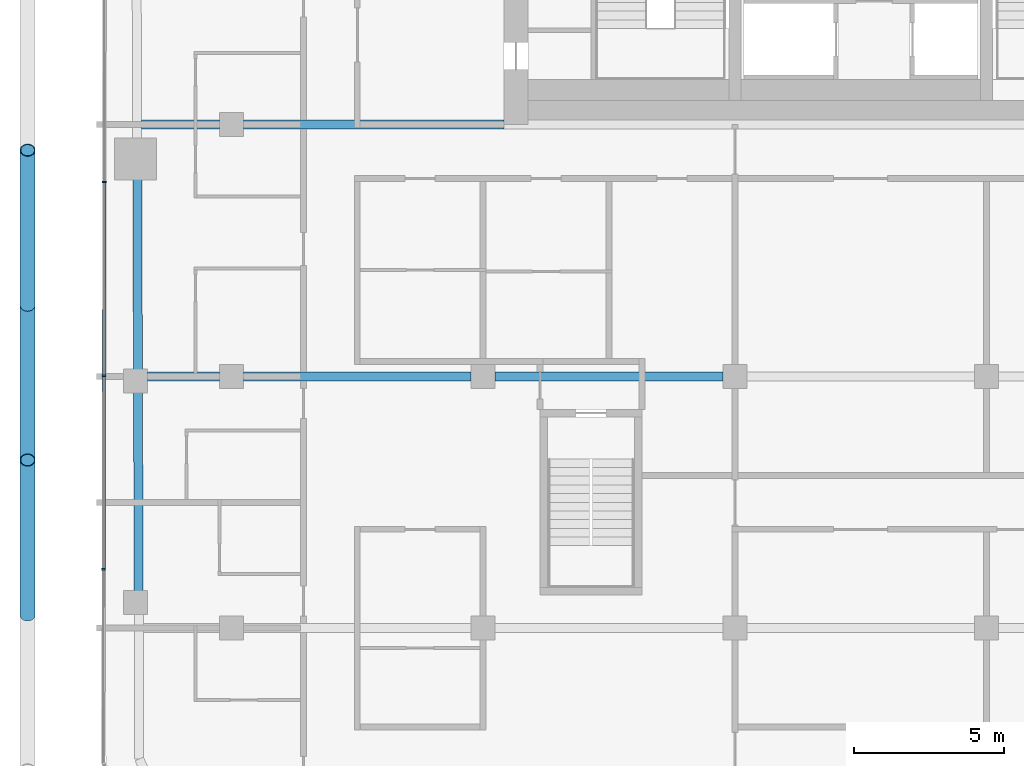
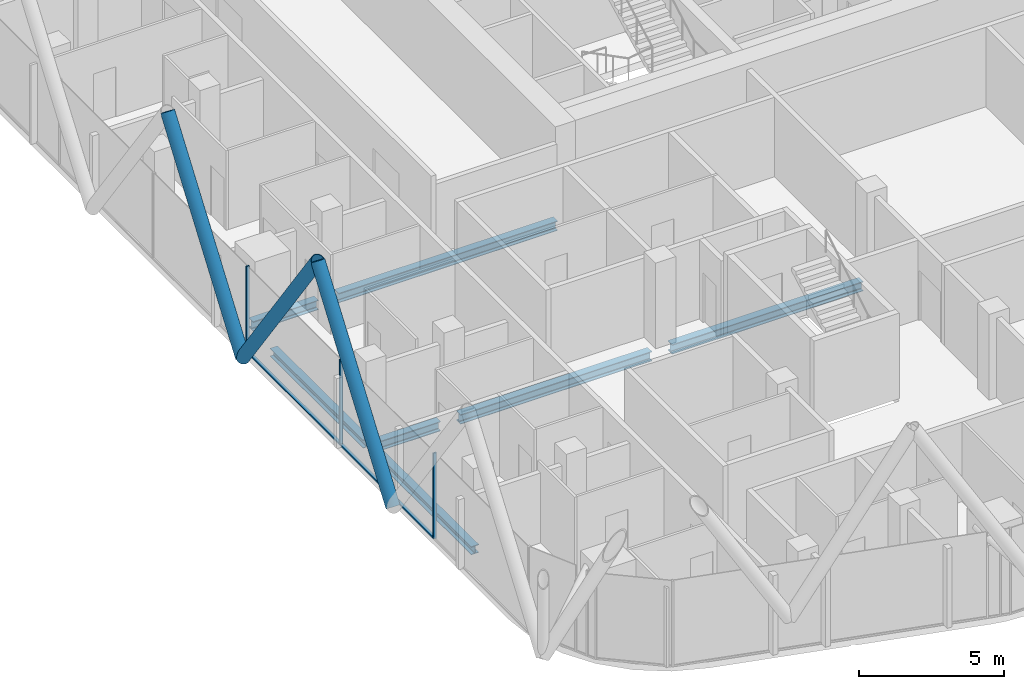
# One storey, part 4 of 28: 8 members, 7 beams, 1 element without a shape of its own.
"""IFC4 building model written with IfcOpenShell, lengths in metres."""

from ifc_helpers import new_model, si_unit, direction, frame, origin, origin_2d, place, context, subcontext, project, spatial, rectangle, hollow_circle, i_section, extrude, material, layer, layer_set, material_profile, profile_set, type_object, element, aggregate, save


model = new_model("IFC4")

# Units and contexts
model_context = context("Model", 3, precision=1e-05, world=origin(), true_north=direction((0.0, 1.0)))
body_context = subcontext(model_context, "Body", "Model", "MODEL_VIEW")
ifc_project = project(units=[si_unit("LENGTHUNIT", "METRE"), si_unit("AREAUNIT", "SQUARE_METRE"), si_unit("VOLUMEUNIT", "CUBIC_METRE"), si_unit("PLANEANGLEUNIT", "RADIAN"), si_unit("MASSUNIT", "GRAM", prefix="KILO")], contexts=[model_context])

# Site, building, storey
site_placement = place(None, origin())
site = spatial("IfcSite", under=ifc_project, at=site_placement, CompositionType="ELEMENT")
building_placement = place(site_placement, origin())
building = spatial("IfcBuilding", under=site, at=building_placement, Name="Marenta Gate Hotel Tower", CompositionType="ELEMENT")
storey_placement = place(building_placement, frame((0.0, 0.0, 198.5)))
storey = spatial("IfcBuildingStorey", under=building, at=storey_placement, Name="L45", CompositionType="ELEMENT", Elevation=198.5)

# Members
ifc_material_1 = material(Name="Steel S355J2W", Category="steel")
ifc_material_profile_1 = material_profile(ifc_material_1, hollow_circle(Radius=0.25390625, WallThickness=0.02490234375, at=origin_2d()), Name="CHS 508x25")
ifc_profile_set_1 = profile_set([ifc_material_profile_1], Name="Steel S355J2W")
member_type_1 = type_object("IfcMemberType", Name="Diagrid diagonal Z3 CHS 508x25", PredefinedType="BRACE", material=ifc_profile_set_1)
member_1_placement = place(storey_placement, frame((-27.800048828125, -16.360107421875, 3.139892578125), z_axis=(0.0, 0.583247791947, 0.812294289767), x_axis=(-1.0, 0.0, 0.0)))
element("IfcMember", 1, at=member_1_placement, inside=storey, type_object=member_type_1, Name="L45-DG-27", PredefinedType="BRACE", context=body_context, shape_type="SweptSolid", body=[
    extrude(hollow_circle(Radius=0.25390625, WallThickness=0.02490234375, at=origin_2d()), origin(), (0.0, 0.0, 1.0), 8.864013671875),
])
member_2_placement = place(storey_placement, frame((-27.800048828125, -6.02001953125, 3.139892578125), z_axis=(0.0, -0.583265964901, 0.81228124082), x_axis=(1.0, 0.0, 0.0)))
element("IfcMember", 2, at=member_2_placement, inside=storey, type_object=member_type_1, Name="L45-DG-28", PredefinedType="BRACE", context=body_context, shape_type="SweptSolid", body=[
    extrude(hollow_circle(Radius=0.25390625, WallThickness=0.02490234375, at=origin_2d()), origin(), (0.0, 0.0, 1.0), 8.8642578125),
])
member_3_placement = place(storey_placement, frame((-27.800048828125, -6.02001953125, 3.139892578125), z_axis=(0.0, 0.583247791947, 0.812294289767), x_axis=(-1.0, 0.0, 0.0)))
element("IfcMember", 3, at=member_3_placement, inside=storey, type_object=member_type_1, Name="L45-DG-29", PredefinedType="BRACE", context=body_context, shape_type="SweptSolid", body=[
    extrude(hollow_circle(Radius=0.25390625, WallThickness=0.02490234375, at=origin_2d()), origin(), (0.0, 0.0, 1.0), 8.864013671875),
])

# Beams
ifc_material_2 = material(Name="Steel S355", Category="steel")
ifc_material_profile_2 = material_profile(ifc_material_2, i_section(OverallWidth=0.300048828125, OverallDepth=0.340087890625, WebThickness=0.011962890625, FlangeThickness=0.021484375, FilletRadius=0.027099609375, at=origin_2d()), Name="HEB 340")
ifc_profile_set_2 = profile_set([ifc_material_profile_2], Name="Steel S355")
beam_type_1 = type_object("IfcBeamType", Name="Edge beam HEB 340", PredefinedType="SPANDREL", material=ifc_profile_set_2)
beam_1_placement = place(storey_placement, frame((-24.09375, -15.591796875, -0.429931640625), z_axis=(-0.00332539729, 0.999994470851, 0.0), x_axis=(-0.999994470851, -0.00332539729, 0.0)))
element("IfcBeam", 4, at=beam_1_placement, inside=storey, type_object=beam_type_1, Name="L45-EB-6", PredefinedType="SPANDREL", context=body_context, shape_type="SweptSolid", body=[
    extrude(i_section(OverallWidth=0.300048828125, OverallDepth=0.340087890625, WebThickness=0.011962890625, FlangeThickness=0.021484375, FilletRadius=0.027099609375, at=origin_2d()), origin(), (0.0, 0.0, 1.0), 6.680908203125),
])
beam_2_placement = place(storey_placement, frame((-24.118408203125, -8.19091796875, -0.429931640625), z_axis=(-0.003328723523, 0.999994459785, 0.0), x_axis=(-0.999994459785, -0.003328723523, 0.0)))
element("IfcBeam", 5, at=beam_2_placement, inside=storey, type_object=beam_type_1, Name="L45-EB-7", PredefinedType="SPANDREL", context=body_context, shape_type="SweptSolid", body=[
    extrude(i_section(OverallWidth=0.300048828125, OverallDepth=0.340087890625, WebThickness=0.011962890625, FlangeThickness=0.021484375, FilletRadius=0.027099609375, at=origin_2d()), origin(), (0.0, 0.0, 1.0), 6.380859375),
])
ifc_material_3 = material(Name="Steel S355", Category="steel")
ifc_material_profile_3 = material_profile(ifc_material_3, i_section(OverallWidth=0.300048828125, OverallDepth=0.39990234375, WebThickness=0.013427734375, FlangeThickness=0.02392578125, FilletRadius=0.027099609375, at=origin_2d()), Name="HEB 400")
ifc_profile_set_3 = profile_set([ifc_material_profile_3], Name="Steel S355")
beam_type_2 = type_object("IfcBeamType", Name="Girder HEB 400", PredefinedType="BEAM", material=ifc_profile_set_3)
beam_3_placement = place(storey_placement, frame((-23.800048828125, -8.39990234375, -0.4599609375), z_axis=(1.0, 0.0, 0.0), x_axis=(0.0, 1.0, 0.0)))
element("IfcBeam", 6, at=beam_3_placement, inside=storey, type_object=beam_type_2, Name="L45-GD-13", PredefinedType="BEAM", context=body_context, shape_type="SweptSolid", body=[
    extrude(i_section(OverallWidth=0.300048828125, OverallDepth=0.39990234375, WebThickness=0.013427734375, FlangeThickness=0.02392578125, FilletRadius=0.027099609375, at=origin_2d()), origin(), (0.0, 0.0, 1.0), 2.400146484375),
])
beam_4_placement = place(storey_placement, frame((-20.60009765625, -8.39990234375, -0.4599609375), z_axis=(1.0, 0.0, 0.0), x_axis=(0.0, 1.0, 0.0)))
element("IfcBeam", 7, at=beam_4_placement, inside=storey, type_object=beam_type_2, Name="L45-GD-14", PredefinedType="BEAM", context=body_context, shape_type="SweptSolid", body=[
    extrude(i_section(OverallWidth=0.300048828125, OverallDepth=0.39990234375, WebThickness=0.013427734375, FlangeThickness=0.02392578125, FilletRadius=0.027099609375, at=origin_2d()), origin(), (0.0, 0.0, 1.0), 7.60009765625),
])
beam_5_placement = place(storey_placement, frame((-12.199951171875, -8.39990234375, -0.4599609375), z_axis=(1.0, 0.0, 0.0), x_axis=(0.0, 1.0, 0.0)))
element("IfcBeam", 8, at=beam_5_placement, inside=storey, type_object=beam_type_2, Name="L45-GD-15", PredefinedType="BEAM", context=body_context, shape_type="SweptSolid", body=[
    extrude(i_section(OverallWidth=0.300048828125, OverallDepth=0.39990234375, WebThickness=0.013427734375, FlangeThickness=0.02392578125, FilletRadius=0.027099609375, at=origin_2d()), origin(), (0.0, 0.0, 1.0), 7.599853515625),
])
beam_6_placement = place(storey_placement, frame((-23.99560546875, 0.0, -0.4599609375), z_axis=(1.0, 0.0, 0.0), x_axis=(0.0, 1.0, 0.0)))
element("IfcBeam", 9, at=beam_6_placement, inside=storey, type_object=beam_type_2, Name="L45-GD-20", PredefinedType="BEAM", context=body_context, shape_type="SweptSolid", body=[
    extrude(i_section(OverallWidth=0.300048828125, OverallDepth=0.39990234375, WebThickness=0.013427734375, FlangeThickness=0.02392578125, FilletRadius=0.027099609375, at=origin_2d()), origin(), (0.0, 0.0, 1.0), 2.595703125),
])
beam_7_placement = place(storey_placement, frame((-20.60009765625, 0.0, -0.4599609375), z_axis=(1.0, 0.0, 0.0), x_axis=(0.0, 1.0, 0.0)))
element("IfcBeam", 10, at=beam_7_placement, inside=storey, type_object=beam_type_2, Name="L45-GD-21", PredefinedType="BEAM", context=body_context, shape_type="SweptSolid", body=[
    extrude(i_section(OverallWidth=0.300048828125, OverallDepth=0.39990234375, WebThickness=0.013427734375, FlangeThickness=0.02392578125, FilletRadius=0.027099609375, at=origin_2d()), origin(), (0.0, 0.0, 1.0), 8.7001953125),
])

# Curtain wall, members
ifc_material_4 = material(Name="Tinted insulated glass in bronze anodised frame", Category="glass")
ifc_layer = layer(ifc_material_4, 0.1201171875)
ifc_layer_set = layer_set([ifc_layer], Name="Tinted insulated glass in bronze anodised frame")
curtain_wall_type = type_object("IfcCurtainWallType", Name="Tower unitised curtain wall CW1", PredefinedType="NOTDEFINED", material=ifc_layer_set)
curtain_wall_placement = place(storey_placement, origin())
curtain_wall = element("IfcCurtainWall", 11, at=curtain_wall_placement, inside=storey, type_object=curtain_wall_type, Name="CW1 run G04", PredefinedType="NOTDEFINED")
ifc_material_5 = material(Name="Bronze anodised aluminium", Category="aluminium")
ifc_material_profile_4 = material_profile(ifc_material_5, rectangle(XDim=0.1201171875, YDim=0.06005859375, at=origin_2d()), Name="Mullion CW1 60x120 bronze anodised aluminium")
ifc_profile_set_4 = profile_set([ifc_material_profile_4], Name="Bronze anodised aluminium")
member_type_2 = type_object("IfcMemberType", Name="Mullion CW1 60x120 bronze anodised aluminium", PredefinedType="MULLION", material=ifc_profile_set_4)
member_4_placement = place(storey_placement, frame((-25.24267578125, -1.913818359375, 0.0), z_axis=(0.0, 0.0, 1.0), x_axis=(0.99999877375, -0.001566045546, 0.0)))
member_4 = element("IfcMember", 12, at=member_4_placement, type_object=member_type_2, Name="CW1 mullion 4", PredefinedType="MULLION", context=body_context, shape_type="SweptSolid", body=[
    extrude(rectangle(XDim=0.1201171875, YDim=0.06005859375, at=origin_2d()), origin(), (0.0, 0.0, 1.0), 3.60009765625),
])
member_5_placement = place(storey_placement, frame((-25.252685546875, -8.373779296875, 0.0), z_axis=(0.0, 0.0, 1.0), x_axis=(0.99999877375, -0.001566045546, 0.0)))
member_5 = element("IfcMember", 13, at=member_5_placement, type_object=member_type_2, Name="CW1 mullion 5", PredefinedType="MULLION", context=body_context, shape_type="SweptSolid", body=[
    extrude(rectangle(XDim=0.1201171875, YDim=0.06005859375, at=origin_2d()), origin(), (0.0, 0.0, 1.0), 3.60009765625),
])
member_6_placement = place(storey_placement, frame((-25.262939453125, -14.833740234375, 0.0), z_axis=(0.0, 0.0, 1.0), x_axis=(0.99999877375, -0.001566045546, 0.0)))
member_6 = element("IfcMember", 14, at=member_6_placement, type_object=member_type_2, Name="CW1 mullion 6", PredefinedType="MULLION", context=body_context, shape_type="SweptSolid", body=[
    extrude(rectangle(XDim=0.1201171875, YDim=0.06005859375, at=origin_2d()), origin(), (0.0, 0.0, 1.0), 3.60009765625),
])
ifc_material_6 = material(Name="Bronze anodised aluminium", Category="aluminium")
ifc_material_profile_5 = material_profile(ifc_material_6, rectangle(XDim=0.1201171875, YDim=0.06005859375, at=origin_2d()), Name="Transom CW1 60x120 bronze anodised aluminium")
ifc_profile_set_5 = profile_set([ifc_material_profile_5], Name="Bronze anodised aluminium")
member_type_3 = type_object("IfcMemberType", Name="Transom CW1 60x120 bronze anodised aluminium", PredefinedType="USERDEFINED", material=ifc_profile_set_5)
member_7_placement = place(storey_placement, frame((-25.24267578125, -1.94384765625, 0.030029296875), z_axis=(-0.001564047831, -0.999998776876, 0.0), x_axis=(0.999998776876, -0.001564047831, 0.0)))
member_7 = element("IfcMember", 15, at=member_7_placement, type_object=member_type_3, Name="CW1 transom 4.1", ObjectType="TRANSOM", PredefinedType="USERDEFINED", context=body_context, shape_type="SweptSolid", body=[
    extrude(rectangle(XDim=0.1201171875, YDim=0.06005859375, at=origin_2d()), origin(), (0.0, 0.0, 1.0), 6.39990234375),
])
member_8_placement = place(storey_placement, frame((-25.2529296875, -8.40380859375, 0.030029296875), z_axis=(-0.001564047831, -0.999998776876, 0.0), x_axis=(0.999998776876, -0.001564047831, 0.0)))
member_8 = element("IfcMember", 16, at=member_8_placement, type_object=member_type_3, Name="CW1 transom 5.1", ObjectType="TRANSOM", PredefinedType="USERDEFINED", context=body_context, shape_type="SweptSolid", body=[
    extrude(rectangle(XDim=0.1201171875, YDim=0.06005859375, at=origin_2d()), origin(), (0.0, 0.0, 1.0), 6.39990234375),
])
aggregate(curtain_wall, [member_4, member_5, member_6, member_7, member_8])

save(model, "model.ifc")
